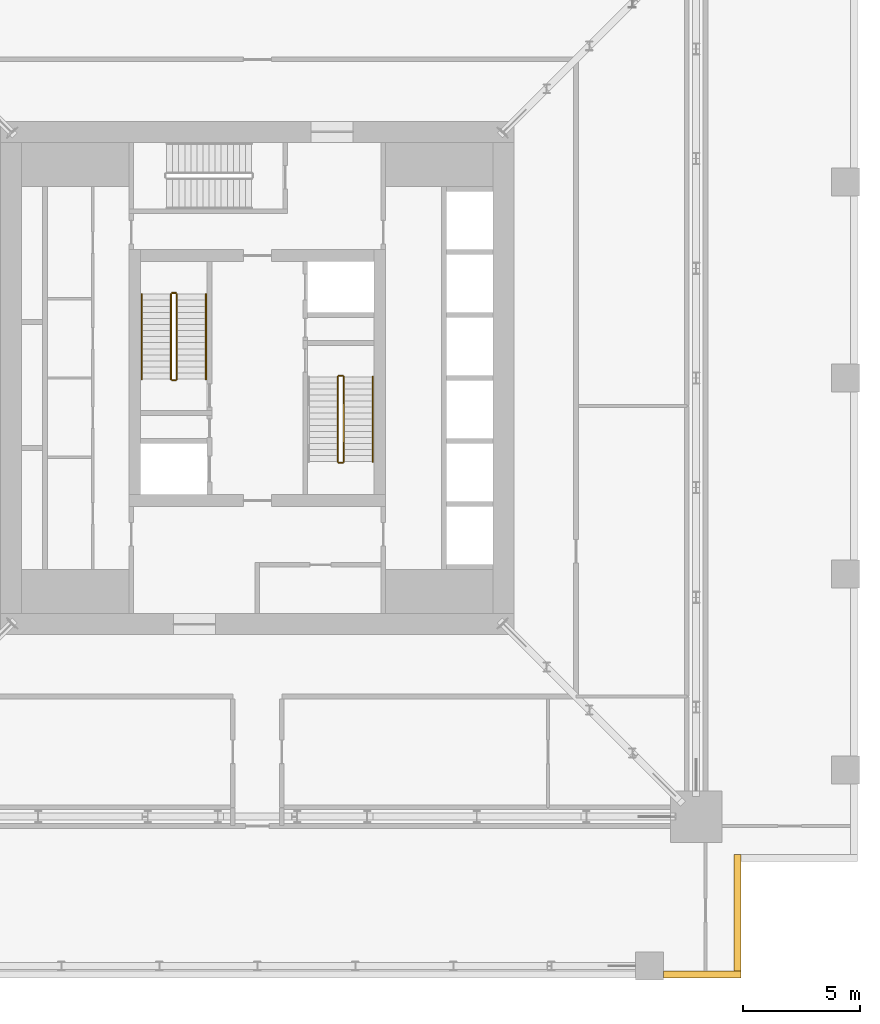
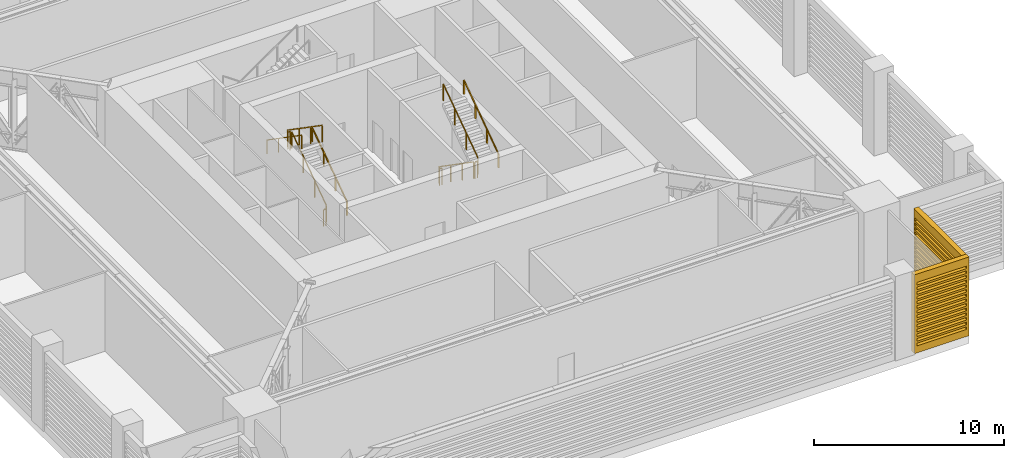
# One storey, part 13 of 16: 11 railings, 2 shading devices.
"""IFC4 building model written with IfcOpenShell, lengths in metres."""

from ifc_helpers import new_model, si_unit, direction, frame, origin, origin_2d, place, context, subcontext, project, spatial, polyline, rectangle, outline, extrude, material, type_object, element, save


model = new_model("IFC4")

# Units and contexts
model_context = context("Model", 3, precision=1e-05, world=origin(), true_north=direction((0.0, 1.0)))
body_context = subcontext(model_context, "Body", "Model", "MODEL_VIEW")
ifc_project = project(units=[si_unit("LENGTHUNIT", "METRE"), si_unit("AREAUNIT", "SQUARE_METRE"), si_unit("VOLUMEUNIT", "CUBIC_METRE"), si_unit("PLANEANGLEUNIT", "RADIAN"), si_unit("MASSUNIT", "GRAM", prefix="KILO")], contexts=[model_context])

# Site, building, storey
site_placement = place(None, origin())
site = spatial("IfcSite", under=ifc_project, at=site_placement, CompositionType="ELEMENT")
building_placement = place(site_placement, origin())
building = spatial("IfcBuilding", under=site, at=building_placement, Name="Khepri Terraces", CompositionType="ELEMENT")
storey_placement = place(building_placement, frame((0.0, 0.0, 287.39990234375)))
storey = spatial("IfcBuildingStorey", under=building, at=storey_placement, Name="L69", CompositionType="ELEMENT", Elevation=287.39990234375)

# Shading devices
ifc_material_1 = material(Name="Anodised aluminium bronze", Category="aluminium")
shading_device_type = type_object("IfcShadingDeviceType", Name="LVR-PLANT-300", PredefinedType="USERDEFINED", material=ifc_material_1)
shading_device_1_placement = place(storey_placement, frame((17.39990234375, -25.419921875, 0.0), z_axis=(0.0, -1.0, 0.0), x_axis=(1.0, 0.0, 0.0)))
element("IfcShadingDevice", 1, at=shading_device_1_placement, inside=storey, type_object=shading_device_type, Name="Louvre wall L69 S", ObjectType="LOUVRE", PredefinedType="USERDEFINED", context=body_context, shape_type="SweptSolid", body=[
    extrude(outline(polyline([(0.0, 0.0), (3.320068359375, 0.0), (3.320068359375, 5.050048828125), (0.0, 5.050048828125), (0.0, 0.0)]), holes=[polyline([(0.14990234375, 0.449951171875), (3.169921875, 0.449951171875), (3.169921875, 0.6201171875), (0.14990234375, 0.6201171875), (0.14990234375, 0.449951171875)]), polyline([(0.14990234375, 0.75), (3.169921875, 0.75), (3.169921875, 0.919921875), (0.14990234375, 0.919921875), (0.14990234375, 0.75)]), polyline([(0.14990234375, 1.050048828125), (3.169921875, 1.050048828125), (3.169921875, 1.219970703125), (0.14990234375, 1.219970703125), (0.14990234375, 1.050048828125)]), polyline([(0.14990234375, 1.35009765625), (3.169921875, 1.35009765625), (3.169921875, 1.52001953125), (0.14990234375, 1.52001953125), (0.14990234375, 1.35009765625)]), polyline([(0.14990234375, 1.64990234375), (3.169921875, 1.64990234375), (3.169921875, 1.820068359375), (0.14990234375, 1.820068359375), (0.14990234375, 1.64990234375)]), polyline([(0.14990234375, 1.949951171875), (3.169921875, 1.949951171875), (3.169921875, 2.1201171875), (0.14990234375, 2.1201171875), (0.14990234375, 1.949951171875)]), polyline([(0.14990234375, 2.25), (3.169921875, 2.25), (3.169921875, 2.419921875), (0.14990234375, 2.419921875), (0.14990234375, 2.25)]), polyline([(0.14990234375, 2.550048828125), (3.169921875, 2.550048828125), (3.169921875, 2.719970703125), (0.14990234375, 2.719970703125), (0.14990234375, 2.550048828125)]), polyline([(0.14990234375, 2.85009765625), (3.169921875, 2.85009765625), (3.169921875, 3.02001953125), (0.14990234375, 3.02001953125), (0.14990234375, 2.85009765625)]), polyline([(0.14990234375, 3.14990234375), (3.169921875, 3.14990234375), (3.169921875, 3.320068359375), (0.14990234375, 3.320068359375), (0.14990234375, 3.14990234375)]), polyline([(0.14990234375, 3.449951171875), (3.169921875, 3.449951171875), (3.169921875, 3.6201171875), (0.14990234375, 3.6201171875), (0.14990234375, 3.449951171875)]), polyline([(0.14990234375, 3.75), (3.169921875, 3.75), (3.169921875, 3.919921875), (0.14990234375, 3.919921875), (0.14990234375, 3.75)]), polyline([(0.14990234375, 4.050048828125), (3.169921875, 4.050048828125), (3.169921875, 4.219970703125), (0.14990234375, 4.219970703125), (0.14990234375, 4.050048828125)]), polyline([(0.14990234375, 4.35009765625), (3.169921875, 4.35009765625), (3.169921875, 4.52001953125), (0.14990234375, 4.52001953125), (0.14990234375, 4.35009765625)])]), origin(), (0.0, 0.0, 1.0), 0.300048828125),
])
shading_device_2_placement = place(storey_placement, frame((20.419921875, -25.419921875, 0.0), z_axis=(1.0, 0.0, 0.0), x_axis=(0.0, 1.0, 0.0)))
element("IfcShadingDevice", 2, at=shading_device_2_placement, inside=storey, type_object=shading_device_type, Name="Louvre wall L69 E", ObjectType="LOUVRE", PredefinedType="USERDEFINED", context=body_context, shape_type="SweptSolid", body=[
    extrude(outline(polyline([(0.0, 0.0), (5.0, 0.0), (5.0, 5.050048828125), (0.0, 5.050048828125), (0.0, 0.0)]), holes=[polyline([(0.14990234375, 0.449951171875), (4.85009765625, 0.449951171875), (4.85009765625, 0.6201171875), (0.14990234375, 0.6201171875), (0.14990234375, 0.449951171875)]), polyline([(0.14990234375, 0.75), (4.85009765625, 0.75), (4.85009765625, 0.919921875), (0.14990234375, 0.919921875), (0.14990234375, 0.75)]), polyline([(0.14990234375, 1.050048828125), (4.85009765625, 1.050048828125), (4.85009765625, 1.219970703125), (0.14990234375, 1.219970703125), (0.14990234375, 1.050048828125)]), polyline([(0.14990234375, 1.35009765625), (4.85009765625, 1.35009765625), (4.85009765625, 1.52001953125), (0.14990234375, 1.52001953125), (0.14990234375, 1.35009765625)]), polyline([(0.14990234375, 1.64990234375), (4.85009765625, 1.64990234375), (4.85009765625, 1.820068359375), (0.14990234375, 1.820068359375), (0.14990234375, 1.64990234375)]), polyline([(0.14990234375, 1.949951171875), (4.85009765625, 1.949951171875), (4.85009765625, 2.1201171875), (0.14990234375, 2.1201171875), (0.14990234375, 1.949951171875)]), polyline([(0.14990234375, 2.25), (4.85009765625, 2.25), (4.85009765625, 2.419921875), (0.14990234375, 2.419921875), (0.14990234375, 2.25)]), polyline([(0.14990234375, 2.550048828125), (4.85009765625, 2.550048828125), (4.85009765625, 2.719970703125), (0.14990234375, 2.719970703125), (0.14990234375, 2.550048828125)]), polyline([(0.14990234375, 2.85009765625), (4.85009765625, 2.85009765625), (4.85009765625, 3.02001953125), (0.14990234375, 3.02001953125), (0.14990234375, 2.85009765625)]), polyline([(0.14990234375, 3.14990234375), (4.85009765625, 3.14990234375), (4.85009765625, 3.320068359375), (0.14990234375, 3.320068359375), (0.14990234375, 3.14990234375)]), polyline([(0.14990234375, 3.449951171875), (4.85009765625, 3.449951171875), (4.85009765625, 3.6201171875), (0.14990234375, 3.6201171875), (0.14990234375, 3.449951171875)]), polyline([(0.14990234375, 3.75), (4.85009765625, 3.75), (4.85009765625, 3.919921875), (0.14990234375, 3.919921875), (0.14990234375, 3.75)]), polyline([(0.14990234375, 4.050048828125), (4.85009765625, 4.050048828125), (4.85009765625, 4.219970703125), (0.14990234375, 4.219970703125), (0.14990234375, 4.050048828125)]), polyline([(0.14990234375, 4.35009765625), (4.85009765625, 4.35009765625), (4.85009765625, 4.52001953125), (0.14990234375, 4.52001953125), (0.14990234375, 4.35009765625)])]), origin(), (0.0, 0.0, 1.0), 0.300048828125),
])

# Railings
ifc_material_2 = material(Name="Stainless steel 316", Category="steel")
railing_type_1 = type_object("IfcRailingType", Name="RL-CORE-GUARD", PredefinedType="GUARDRAIL", material=ifc_material_2)
railing_1_placement = place(storey_placement, frame((-3.449951171875, -0.050048828125, 0.18017578125)))
element("IfcRailing", 3, at=railing_1_placement, inside=storey, type_object=railing_type_1, Name="L69 ST-1 stair guard 1", PredefinedType="GUARDRAIL", context=body_context, shape_type="SweptSolid", body=[
    extrude(rectangle(XDim=0.050048828125, YDim=0.06005859375, at=origin_2d()), frame((0.0, 0.0, 1.070068359375), z_axis=(0.0, 0.82220013233, 0.56919850878), x_axis=(-1.0, 0.0, 0.0)), (0.0, 0.0, 1.0), 4.42724609375),
    extrude(rectangle(XDim=0.050048828125, YDim=0.050048828125, at=origin_2d()), origin(), (0.0, 0.0, 1.0), 1.0400390625),
    extrude(rectangle(XDim=0.050048828125, YDim=0.050048828125, at=origin_2d()), frame((0.0, 1.21337890625, 0.840087890625)), (0.0, 0.0, 1.0), 1.0400390625),
    extrude(rectangle(XDim=0.050048828125, YDim=0.050048828125, at=origin_2d()), frame((0.0, 2.4267578125, 1.679931640625)), (0.0, 0.0, 1.0), 1.0400390625),
    extrude(rectangle(XDim=0.050048828125, YDim=0.050048828125, at=origin_2d()), frame((0.0, 3.64013671875, 2.52001953125)), (0.0, 0.0, 1.0), 1.0400390625),
])
railing_2_placement = place(storey_placement, frame((-3.5, 3.639892578125, 2.7001953125)))
element("IfcRailing", 4, at=railing_2_placement, inside=storey, type_object=railing_type_1, Name="L69 ST-1 stair guard 2", PredefinedType="GUARDRAIL", context=body_context, shape_type="SweptSolid", body=[
    extrude(rectangle(XDim=0.050048828125, YDim=0.06005859375, at=origin_2d()), frame((0.0, 0.0, 1.070068359375), z_axis=(-1.0, 0.0, 0.0), x_axis=(0.0, -1.0, 0.0)), (0.0, 0.0, 1.0), 0.14990234375),
    extrude(rectangle(XDim=0.050048828125, YDim=0.050048828125, at=origin_2d()), origin(), (0.0, 0.0, 1.0), 1.0400390625),
    extrude(rectangle(XDim=0.050048828125, YDim=0.050048828125, at=origin_2d()), frame((-0.14990234375, 0.0, 0.0)), (0.0, 0.0, 1.0), 1.0400390625),
])
railing_3_placement = place(storey_placement, frame((-3.699951171875, 3.590087890625, 2.880126953125)))
element("IfcRailing", 5, at=railing_3_placement, inside=storey, type_object=railing_type_1, Name="L69 ST-1 stair guard 3", PredefinedType="GUARDRAIL", context=body_context, shape_type="SweptSolid", body=[
    extrude(rectangle(XDim=0.050048828125, YDim=0.06005859375, at=origin_2d()), frame((0.0, 0.0, 1.070068359375), z_axis=(0.0, -0.82220013233, 0.56919850878), x_axis=(1.0, 0.0, 0.0)), (0.0, 0.0, 1.0), 4.42724609375),
    extrude(rectangle(XDim=0.050048828125, YDim=0.050048828125, at=origin_2d()), origin(), (0.0, 0.0, 1.0), 1.0400390625),
    extrude(rectangle(XDim=0.050048828125, YDim=0.050048828125, at=origin_2d()), frame((0.0, -1.21337890625, 0.840087890625)), (0.0, 0.0, 1.0), 1.0400390625),
    extrude(rectangle(XDim=0.050048828125, YDim=0.050048828125, at=origin_2d()), frame((0.0, -2.4267578125, 1.679931640625)), (0.0, 0.0, 1.0), 1.0400390625),
    extrude(rectangle(XDim=0.050048828125, YDim=0.050048828125, at=origin_2d()), frame((0.0, -3.64013671875, 2.52001953125)), (0.0, 0.0, 1.0), 1.0400390625),
])
railing_4_placement = place(storey_placement, frame((-3.5, -0.10009765625, 0.0)))
element("IfcRailing", 6, at=railing_4_placement, inside=storey, type_object=railing_type_1, Name="L69 ST-1 stair guard 4", PredefinedType="GUARDRAIL", context=body_context, shape_type="SweptSolid", body=[
    extrude(rectangle(XDim=0.050048828125, YDim=0.06005859375, at=origin_2d()), frame((0.0, 0.0, 1.070068359375), z_axis=(-1.0, 0.0, 0.0), x_axis=(0.0, -1.0, 0.0)), (0.0, 0.0, 1.0), 0.14990234375),
    extrude(rectangle(XDim=0.050048828125, YDim=0.050048828125, at=origin_2d()), origin(), (0.0, 0.0, 1.0), 1.0400390625),
    extrude(rectangle(XDim=0.050048828125, YDim=0.050048828125, at=origin_2d()), frame((-0.14990234375, 0.0, 0.0)), (0.0, 0.0, 1.0), 1.0400390625),
])
railing_5_placement = place(storey_placement, frame((3.449951171875, 0.050048828125, 0.18017578125)))
element("IfcRailing", 7, at=railing_5_placement, inside=storey, type_object=railing_type_1, Name="L69 ST-2 stair guard 1", PredefinedType="GUARDRAIL", context=body_context, shape_type="SweptSolid", body=[
    extrude(rectangle(XDim=0.050048828125, YDim=0.06005859375, at=origin_2d()), frame((0.0, 0.0, 1.070068359375), z_axis=(0.0, -0.82220013233, 0.56919850878), x_axis=(1.0, 0.0, 0.0)), (0.0, 0.0, 1.0), 4.42724609375),
    extrude(rectangle(XDim=0.050048828125, YDim=0.050048828125, at=origin_2d()), origin(), (0.0, 0.0, 1.0), 1.0400390625),
    extrude(rectangle(XDim=0.050048828125, YDim=0.050048828125, at=origin_2d()), frame((0.0, -1.21337890625, 0.840087890625)), (0.0, 0.0, 1.0), 1.0400390625),
    extrude(rectangle(XDim=0.050048828125, YDim=0.050048828125, at=origin_2d()), frame((0.0, -2.4267578125, 1.679931640625)), (0.0, 0.0, 1.0), 1.0400390625),
    extrude(rectangle(XDim=0.050048828125, YDim=0.050048828125, at=origin_2d()), frame((0.0, -3.64013671875, 2.52001953125)), (0.0, 0.0, 1.0), 1.0400390625),
])
railing_6_placement = place(storey_placement, frame((3.5, -3.639892578125, 2.7001953125)))
element("IfcRailing", 8, at=railing_6_placement, inside=storey, type_object=railing_type_1, Name="L69 ST-2 stair guard 2", PredefinedType="GUARDRAIL", context=body_context, shape_type="SweptSolid", body=[
    extrude(rectangle(XDim=0.050048828125, YDim=0.06005859375, at=origin_2d()), frame((0.0, 0.0, 1.070068359375), z_axis=(1.0, 0.0, 0.0), x_axis=(0.0, 1.0, 0.0)), (0.0, 0.0, 1.0), 0.14990234375),
    extrude(rectangle(XDim=0.050048828125, YDim=0.050048828125, at=origin_2d()), origin(), (0.0, 0.0, 1.0), 1.0400390625),
    extrude(rectangle(XDim=0.050048828125, YDim=0.050048828125, at=origin_2d()), frame((0.14990234375, 0.0, 0.0)), (0.0, 0.0, 1.0), 1.0400390625),
])
railing_7_placement = place(storey_placement, frame((3.699951171875, -3.590087890625, 2.880126953125)))
element("IfcRailing", 9, at=railing_7_placement, inside=storey, type_object=railing_type_1, Name="L69 ST-2 stair guard 3", PredefinedType="GUARDRAIL", context=body_context, shape_type="SweptSolid", body=[
    extrude(rectangle(XDim=0.050048828125, YDim=0.06005859375, at=origin_2d()), frame((0.0, 0.0, 1.070068359375), z_axis=(0.0, 0.82220013233, 0.56919850878), x_axis=(-1.0, 0.0, 0.0)), (0.0, 0.0, 1.0), 4.42724609375),
    extrude(rectangle(XDim=0.050048828125, YDim=0.050048828125, at=origin_2d()), origin(), (0.0, 0.0, 1.0), 1.0400390625),
    extrude(rectangle(XDim=0.050048828125, YDim=0.050048828125, at=origin_2d()), frame((0.0, 1.21337890625, 0.840087890625)), (0.0, 0.0, 1.0), 1.0400390625),
    extrude(rectangle(XDim=0.050048828125, YDim=0.050048828125, at=origin_2d()), frame((0.0, 2.4267578125, 1.679931640625)), (0.0, 0.0, 1.0), 1.0400390625),
    extrude(rectangle(XDim=0.050048828125, YDim=0.050048828125, at=origin_2d()), frame((0.0, 3.64013671875, 2.52001953125)), (0.0, 0.0, 1.0), 1.0400390625),
])
railing_8_placement = place(storey_placement, frame((3.5, 0.10009765625, 0.0)))
element("IfcRailing", 10, at=railing_8_placement, inside=storey, type_object=railing_type_1, Name="L69 ST-2 stair guard 4", PredefinedType="GUARDRAIL", context=body_context, shape_type="SweptSolid", body=[
    extrude(rectangle(XDim=0.050048828125, YDim=0.06005859375, at=origin_2d()), frame((0.0, 0.0, 1.070068359375), z_axis=(1.0, 0.0, 0.0), x_axis=(0.0, 1.0, 0.0)), (0.0, 0.0, 1.0), 0.14990234375),
    extrude(rectangle(XDim=0.050048828125, YDim=0.050048828125, at=origin_2d()), origin(), (0.0, 0.0, 1.0), 1.0400390625),
    extrude(rectangle(XDim=0.050048828125, YDim=0.050048828125, at=origin_2d()), frame((0.14990234375, 0.0, 0.0)), (0.0, 0.0, 1.0), 1.0400390625),
])
railing_type_2 = type_object("IfcRailingType", Name="RL-CORE-HANDRAIL", PredefinedType="HANDRAIL", material=ifc_material_2)
railing_9_placement = place(storey_placement, frame((-2.199951171875, -0.050048828125, 0.18017578125)))
element("IfcRailing", 11, at=railing_9_placement, inside=storey, type_object=railing_type_2, Name="L69 ST-1 stair handrail 1", PredefinedType="HANDRAIL", context=body_context, shape_type="SweptSolid", body=[
    extrude(rectangle(XDim=0.050048828125, YDim=0.050048828125, at=origin_2d()), frame((0.0, 0.0, 0.875), z_axis=(0.0, 0.82220013233, 0.56919850878), x_axis=(-1.0, 0.0, 0.0)), (0.0, 0.0, 1.0), 4.42724609375),
    extrude(rectangle(XDim=0.050048828125, YDim=0.050048828125, at=origin_2d()), origin(), (0.0, 0.0, 1.0), 0.849853515625),
    extrude(rectangle(XDim=0.050048828125, YDim=0.050048828125, at=origin_2d()), frame((0.0, 1.21337890625, 0.840087890625)), (0.0, 0.0, 1.0), 0.849853515625),
    extrude(rectangle(XDim=0.050048828125, YDim=0.050048828125, at=origin_2d()), frame((0.0, 2.4267578125, 1.679931640625)), (0.0, 0.0, 1.0), 0.849853515625),
    extrude(rectangle(XDim=0.050048828125, YDim=0.050048828125, at=origin_2d()), frame((0.0, 3.64013671875, 2.52001953125)), (0.0, 0.0, 1.0), 0.849853515625),
])
railing_10_placement = place(storey_placement, frame((-4.949951171875, 3.590087890625, 2.880126953125)))
element("IfcRailing", 12, at=railing_10_placement, inside=storey, type_object=railing_type_2, Name="L69 ST-1 stair handrail 2", PredefinedType="HANDRAIL", context=body_context, shape_type="SweptSolid", body=[
    extrude(rectangle(XDim=0.050048828125, YDim=0.050048828125, at=origin_2d()), frame((0.0, 0.0, 0.875), z_axis=(0.0, -0.82220013233, 0.56919850878), x_axis=(1.0, 0.0, 0.0)), (0.0, 0.0, 1.0), 4.42724609375),
    extrude(rectangle(XDim=0.050048828125, YDim=0.050048828125, at=origin_2d()), origin(), (0.0, 0.0, 1.0), 0.849853515625),
    extrude(rectangle(XDim=0.050048828125, YDim=0.050048828125, at=origin_2d()), frame((0.0, -1.21337890625, 0.840087890625)), (0.0, 0.0, 1.0), 0.849853515625),
    extrude(rectangle(XDim=0.050048828125, YDim=0.050048828125, at=origin_2d()), frame((0.0, -2.4267578125, 1.679931640625)), (0.0, 0.0, 1.0), 0.849853515625),
    extrude(rectangle(XDim=0.050048828125, YDim=0.050048828125, at=origin_2d()), frame((0.0, -3.64013671875, 2.52001953125)), (0.0, 0.0, 1.0), 0.849853515625),
])
railing_11_placement = place(storey_placement, frame((4.949951171875, -3.590087890625, 2.880126953125)))
element("IfcRailing", 13, at=railing_11_placement, inside=storey, type_object=railing_type_2, Name="L69 ST-2 stair handrail 2", PredefinedType="HANDRAIL", context=body_context, shape_type="SweptSolid", body=[
    extrude(rectangle(XDim=0.050048828125, YDim=0.050048828125, at=origin_2d()), frame((0.0, 0.0, 0.875), z_axis=(0.0, 0.82220013233, 0.56919850878), x_axis=(-1.0, 0.0, 0.0)), (0.0, 0.0, 1.0), 4.42724609375),
    extrude(rectangle(XDim=0.050048828125, YDim=0.050048828125, at=origin_2d()), origin(), (0.0, 0.0, 1.0), 0.849853515625),
    extrude(rectangle(XDim=0.050048828125, YDim=0.050048828125, at=origin_2d()), frame((0.0, 1.21337890625, 0.840087890625)), (0.0, 0.0, 1.0), 0.849853515625),
    extrude(rectangle(XDim=0.050048828125, YDim=0.050048828125, at=origin_2d()), frame((0.0, 2.4267578125, 1.679931640625)), (0.0, 0.0, 1.0), 0.849853515625),
    extrude(rectangle(XDim=0.050048828125, YDim=0.050048828125, at=origin_2d()), frame((0.0, 3.64013671875, 2.52001953125)), (0.0, 0.0, 1.0), 0.849853515625),
])

save(model, "model.ifc")
